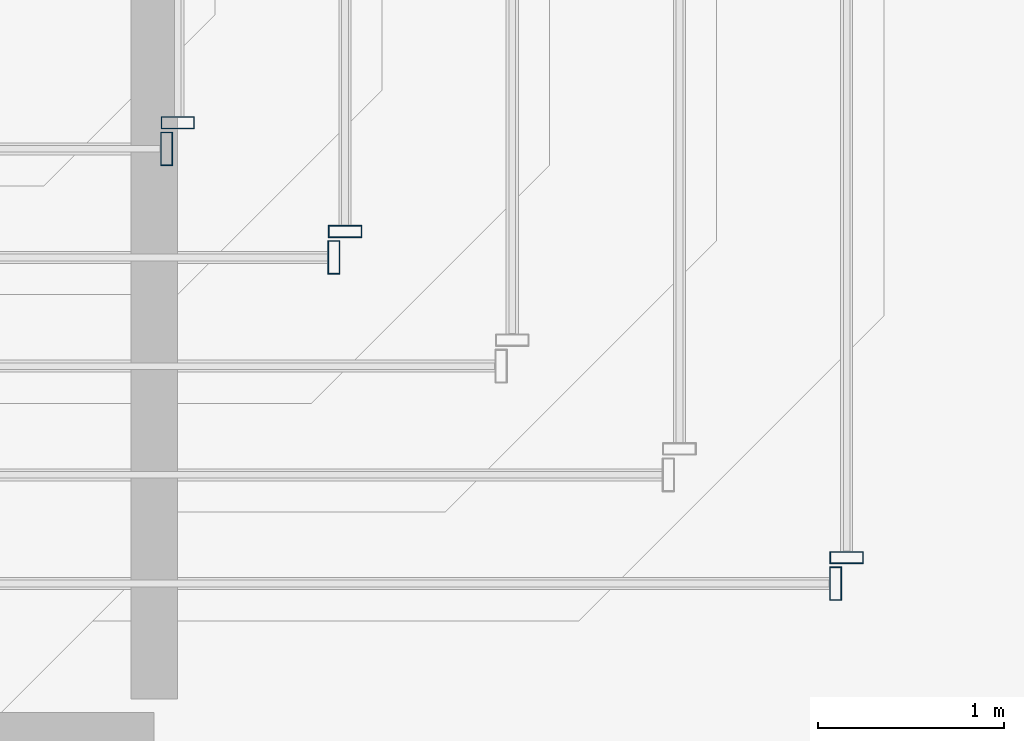
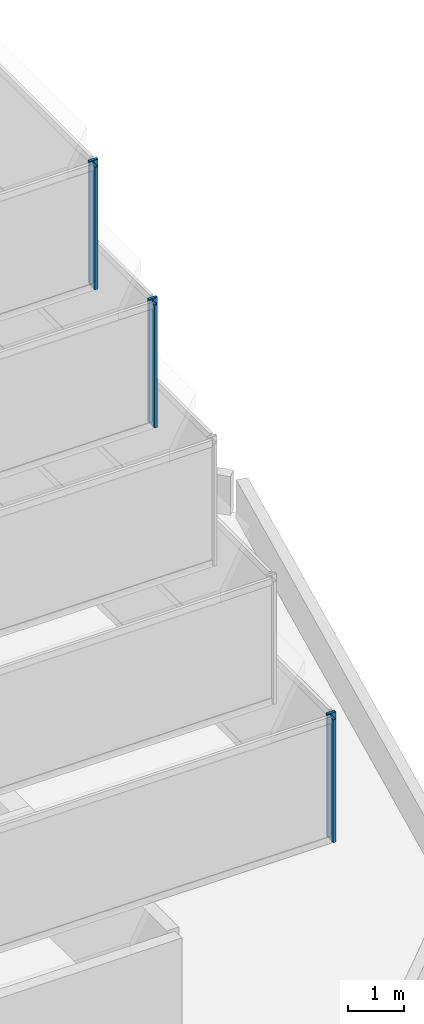
# One storey, part 22 of 29: 6 members, 6 elements without a shape of their own.
"""IFC4 building model written with IfcOpenShell, lengths in metres."""

from ifc_helpers import new_model, si_unit, direction, frame, origin, origin_2d, place, context, subcontext, project, spatial, hollow_rectangle, extrude, material, material_profile, profile_set, type_object, element, aggregate, save


model = new_model("IFC4")

# Units and contexts
model_context = context("Model", 3, precision=1e-05, world=origin(), true_north=direction((0.0, 1.0)))
body_context = subcontext(model_context, "Body", "Model", "MODEL_VIEW")
ifc_project = project(units=[si_unit("LENGTHUNIT", "METRE"), si_unit("AREAUNIT", "SQUARE_METRE"), si_unit("VOLUMEUNIT", "CUBIC_METRE"), si_unit("PLANEANGLEUNIT", "RADIAN"), si_unit("MASSUNIT", "GRAM", prefix="KILO")], contexts=[model_context])

# Site, building, storey
site_placement = place(None, origin())
site = spatial("IfcSite", under=ifc_project, at=site_placement, CompositionType="ELEMENT")
building_placement = place(site_placement, origin())
building = spatial("IfcBuilding", under=site, at=building_placement, Name="Saevonmaru Cultural Tower", CompositionType="ELEMENT")
storey_placement = place(building_placement, frame((0.0, 0.0, 327.60009765625)))
storey = spatial("IfcBuildingStorey", under=building, at=storey_placement, Name="RF", CompositionType="ELEMENT", Elevation=327.60009765625)

# Curtain wall, member
ifc_material = material(Name="Satin Bronze Anodised Aluminium", Category="aluminium")
curtain_wall_type = type_object("IfcCurtainWallType", Name="CW-TYP-B", PredefinedType="NOTDEFINED", material=ifc_material)
curtain_wall_1_placement = place(storey_placement, origin())
curtain_wall_1 = element("IfcCurtainWall", 1, at=curtain_wall_1_placement, inside=storey, type_object=curtain_wall_type, Name="RF Ziggurat Crown Tier 2 Bronze Louvre Screen 1", PredefinedType="NOTDEFINED")
ifc_material_profile = material_profile(ifc_material, hollow_rectangle(XDim=0.06494140625, YDim=0.179931640625, WallThickness=0.00390625, at=origin_2d()), Name="ALU-MULL-180x65x4")
ifc_profile_set = profile_set([ifc_material_profile], Name="Satin Bronze Anodised Aluminium")
member_type = type_object("IfcMemberType", Name="ML-CW-180x65", PredefinedType="MULLION", material=ifc_profile_set)
member_1_placement = place(storey_placement, frame((50.1669921875, 39.3701171875, 3.0), z_axis=(0.0, 0.0, 1.0), x_axis=(1.0, 0.0, 0.0)))
member_1 = element("IfcMember", 2, at=member_1_placement, type_object=member_type, Name="CW-CROWN-T2-1 mullion 5", PredefinedType="MULLION", context=body_context, shape_type="SweptSolid", body=[
    extrude(hollow_rectangle(XDim=0.06494140625, YDim=0.179931640625, WallThickness=0.00390625, at=origin_2d()), origin(), (0.0, 0.0, 1.0), 2.699951171875),
])
aggregate(curtain_wall_1, [member_1])

curtain_wall_2_placement = place(storey_placement, origin())
curtain_wall_2 = element("IfcCurtainWall", 3, at=curtain_wall_2_placement, inside=storey, type_object=curtain_wall_type, Name="RF Ziggurat Crown Tier 2 Bronze Louvre Screen 2", PredefinedType="NOTDEFINED")
member_2_placement = place(storey_placement, frame((50.22705078125, 39.510009765625, 3.0), z_axis=(0.0, 0.0, 1.0), x_axis=(0.0, 1.0, 0.0)))
member_2 = element("IfcMember", 4, at=member_2_placement, type_object=member_type, Name="CW-CROWN-T2-2 mullion 1", PredefinedType="MULLION", context=body_context, shape_type="SweptSolid", body=[
    extrude(hollow_rectangle(XDim=0.06494140625, YDim=0.179931640625, WallThickness=0.00390625, at=origin_2d()), origin(), (0.0, 0.0, 1.0), 2.699951171875),
])
aggregate(curtain_wall_2, [member_2])

curtain_wall_3_placement = place(storey_placement, origin())
curtain_wall_3 = element("IfcCurtainWall", 5, at=curtain_wall_3_placement, inside=storey, type_object=curtain_wall_type, Name="RF Ziggurat Crown Tier 5 Bronze Louvre Screen 1", PredefinedType="NOTDEFINED")
member_3_placement = place(storey_placement, frame((47.467041015625, 41.125, 12.0), z_axis=(0.0, 0.0, 1.0), x_axis=(1.0, 0.0, 0.0)))
member_3 = element("IfcMember", 6, at=member_3_placement, type_object=member_type, Name="CW-CROWN-T5-1 mullion 4", PredefinedType="MULLION", context=body_context, shape_type="SweptSolid", body=[
    extrude(hollow_rectangle(XDim=0.06494140625, YDim=0.179931640625, WallThickness=0.00390625, at=origin_2d()), origin(), (0.0, 0.0, 1.0), 2.699951171875),
])
aggregate(curtain_wall_3, [member_3])

curtain_wall_4_placement = place(storey_placement, origin())
curtain_wall_4 = element("IfcCurtainWall", 7, at=curtain_wall_4_placement, inside=storey, type_object=curtain_wall_type, Name="RF Ziggurat Crown Tier 5 Bronze Louvre Screen 2", PredefinedType="NOTDEFINED")
member_4_placement = place(storey_placement, frame((47.527099609375, 41.264892578125, 12.0), z_axis=(0.0, 0.0, 1.0), x_axis=(0.0, 1.0, 0.0)))
member_4 = element("IfcMember", 8, at=member_4_placement, type_object=member_type, Name="CW-CROWN-T5-2 mullion 1", PredefinedType="MULLION", context=body_context, shape_type="SweptSolid", body=[
    extrude(hollow_rectangle(XDim=0.06494140625, YDim=0.179931640625, WallThickness=0.00390625, at=origin_2d()), origin(), (0.0, 0.0, 1.0), 2.699951171875),
])
aggregate(curtain_wall_4, [member_4])

curtain_wall_5_placement = place(storey_placement, origin())
curtain_wall_5 = element("IfcCurtainWall", 9, at=curtain_wall_5_placement, inside=storey, type_object=curtain_wall_type, Name="RF Ziggurat Crown Tier 6 Bronze Louvre Screen 1", PredefinedType="NOTDEFINED")
member_5_placement = place(storey_placement, frame((46.56689453125, 41.7099609375, 15.0), z_axis=(0.0, 0.0, 1.0), x_axis=(1.0, 0.0, 0.0)))
member_5 = element("IfcMember", 10, at=member_5_placement, type_object=member_type, Name="CW-CROWN-T6-1 mullion 4", PredefinedType="MULLION", context=body_context, shape_type="SweptSolid", body=[
    extrude(hollow_rectangle(XDim=0.06494140625, YDim=0.179931640625, WallThickness=0.00390625, at=origin_2d()), origin(), (0.0, 0.0, 1.0), 2.699951171875),
])
aggregate(curtain_wall_5, [member_5])

curtain_wall_6_placement = place(storey_placement, origin())
curtain_wall_6 = element("IfcCurtainWall", 11, at=curtain_wall_6_placement, inside=storey, type_object=curtain_wall_type, Name="RF Ziggurat Crown Tier 6 Bronze Louvre Screen 2", PredefinedType="NOTDEFINED")
member_6_placement = place(storey_placement, frame((46.626953125, 41.85009765625, 15.0), z_axis=(0.0, 0.0, 1.0), x_axis=(0.0, 1.0, 0.0)))
member_6 = element("IfcMember", 12, at=member_6_placement, type_object=member_type, Name="CW-CROWN-T6-2 mullion 1", PredefinedType="MULLION", context=body_context, shape_type="SweptSolid", body=[
    extrude(hollow_rectangle(XDim=0.06494140625, YDim=0.179931640625, WallThickness=0.00390625, at=origin_2d()), origin(), (0.0, 0.0, 1.0), 2.699951171875),
])
aggregate(curtain_wall_6, [member_6])

save(model, "model.ifc")
